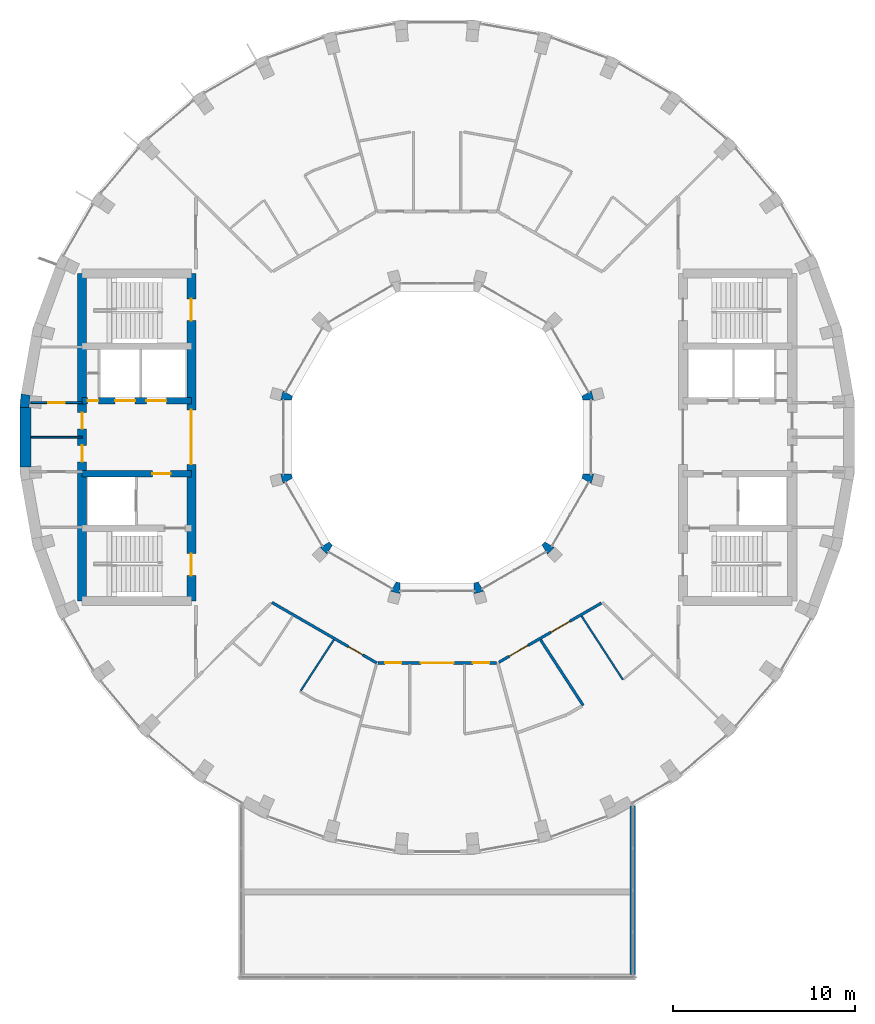
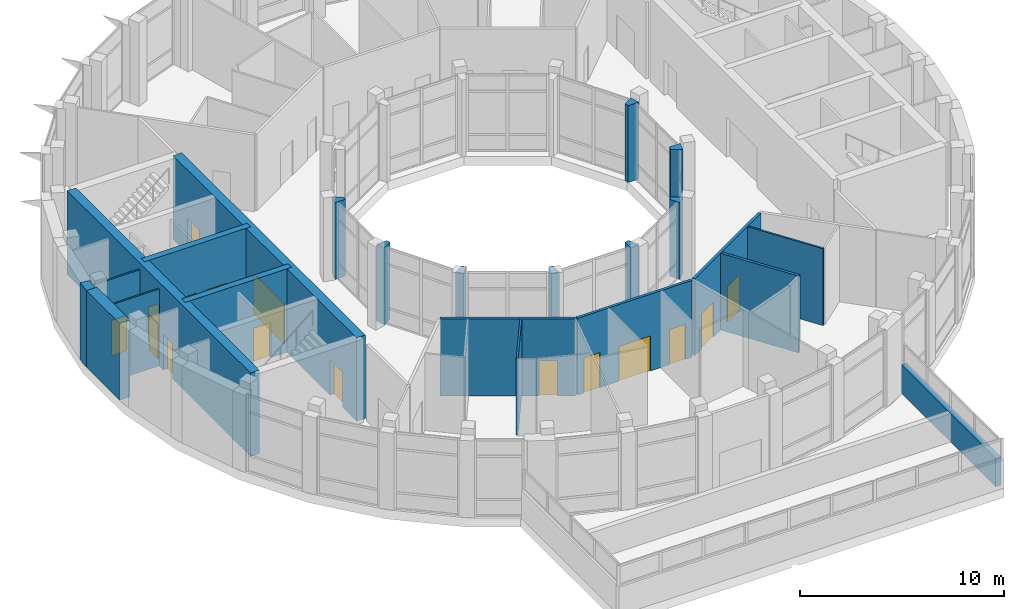
# One storey, part 14 of 19: 23 walls, 16 doors, 16 openings.
"""IFC4 building model written with IfcOpenShell, lengths in metres."""

from ifc_helpers import new_model, si_unit, direction, frame, frame_2d, origin, place, context, subcontext, project, spatial, polyline, rectangle, outline, extrude, material, layer, layer_set, type_object, element, fill, save


model = new_model("IFC4")

# Units and contexts
model_context = context("Model", 3, precision=1e-05, world=origin(), true_north=direction((0.0, 1.0)))
body_context = subcontext(model_context, "Body", "Model", "MODEL_VIEW")
ifc_project = project(units=[si_unit("LENGTHUNIT", "METRE"), si_unit("AREAUNIT", "SQUARE_METRE"), si_unit("VOLUMEUNIT", "CUBIC_METRE"), si_unit("PLANEANGLEUNIT", "RADIAN"), si_unit("MASSUNIT", "GRAM", prefix="KILO")], contexts=[model_context])

# Site, building, storey
site_placement = place(None, origin())
site = spatial("IfcSite", under=ifc_project, at=site_placement, CompositionType="ELEMENT")
building_placement = place(site_placement, origin())
building = spatial("IfcBuilding", under=site, at=building_placement, Name="Saqina Gate Tower", CompositionType="ELEMENT")
storey_placement = place(building_placement, frame((0.0, 0.0, 224.699951171875)))
storey = spatial("IfcBuildingStorey", under=building, at=storey_placement, Name="L64", CompositionType="ELEMENT", Elevation=224.699951171875)

# Wall
ifc_material_1 = material(Name="Brick masonry (buff)", Category="masonry")
wall_type_1 = type_object("IfcWallType", Name="BRICK PIER COPING BUFF", PredefinedType="SOLIDWALL", material=ifc_material_1)
wall_1_placement = place(storey_placement, origin())
element("IfcWall", 1, at=wall_1_placement, inside=storey, type_object=wall_type_1, Name="Pier cap L64 column 18", PredefinedType="SOLIDWALL", context=body_context, shape_type="SweptSolid", body=[
    extrude(outline(polyline([(-22.8466796875, 2.377685546875), (-22.91259765625, 1.625732421875), (-22.3125, 1.625732421875), (-22.417724609375, 1.635009765625), (-22.361083984375, 2.28271484375), (-22.255859375, 2.2734375), (-22.8466796875, 2.377685546875)])), origin(), (0.0, 0.0, 1.0), 4.60009765625),
])

# Wall, opening, door
ifc_material_2 = material(Name="Gypsum board on steel studs", Category="steel")
ifc_layer_1 = layer(ifc_material_2, 0.10009765625)
ifc_layer_set_1 = layer_set([ifc_layer_1], Name="CORE PARTITION")
wall_type_2 = type_object("IfcWallType", Name="CORE PARTITION", PredefinedType="PARTITIONING", material=ifc_layer_set_1)
wall_2_placement = place(storey_placement, frame((-19.5, 1.89990234375, 0.0), z_axis=(0.0, 0.0, 1.0), x_axis=(-1.0, 0.0, 0.0)))
wall_2 = element("IfcWall", 2, at=wall_2_placement, inside=storey, type_object=wall_type_2, Name="L64-CP-W03", PredefinedType="PARTITIONING", context=body_context, shape_type="SweptSolid", body=[
    extrude(rectangle(XDim=2.8125, YDim=0.10009765625, at=frame_2d((1.40625, 0.0))), origin(), (0.0, 0.0, 1.0), 4.60009765625),
])
opening_1_placement = place(wall_2_placement, frame((0.956298828125, 0.0, 0.0)))
opening_1 = element("IfcOpeningElement", 3, at=opening_1_placement, cuts=wall_2, Name="Opening L64-D103", PredefinedType="OPENING", context=body_context, shape_type="SweptSolid", body=[
    extrude(rectangle(XDim=0.89990234375, YDim=2.10009765625, at=frame_2d((0.449951171875, 1.050048828125))), frame((0.0, 0.06201171875, 0.0), z_axis=(0.0, -1.0, 0.0), x_axis=(1.0, 0.0, 0.0)), (0.0, 0.0, 1.0), 0.1240234375),
])
ifc_material_3 = material(Name="Steel-framed fire door leaf, EI 60", Category="steel")
door_type_1 = type_object("IfcDoorType", Name="SERVICE ROOM DOOR 900", OperationType="SINGLE_SWING_LEFT", PredefinedType="DOOR", material=ifc_material_3)
door_1_placement = place(opening_1_placement, frame((0.89990234375, 0.0, 0.0), z_axis=(0.0, 0.0, 1.0), x_axis=(-1.0, 0.0, 0.0)))
door_1 = element("IfcDoor", 4, at=door_1_placement, inside=storey, type_object=door_type_1, Name="L64-CD-W14", OperationType="SINGLE_SWING_LEFT", OverallHeight=2.10009765625, OverallWidth=0.89990234375, PredefinedType="DOOR", context=body_context, shape_type="SweptSolid", body=[
    extrude(rectangle(XDim=0.89990234375, YDim=2.10009765625, at=frame_2d((0.449951171875, 1.050048828125))), frame((0.0, 0.02490234375, 0.0), z_axis=(0.0, -1.0, 0.0), x_axis=(1.0, 0.0, 0.0)), (0.0, 0.0, 1.0), 0.050048828125),
])
fill(opening_1, door_1)

# Walls
wall_3_placement = place(storey_placement, frame((-19.5, 0.0, 0.0), z_axis=(0.0, 0.0, 1.0), x_axis=(-1.0, 0.0, 0.0)))
element("IfcWall", 5, at=wall_3_placement, inside=storey, type_object=wall_type_2, Name="L64-CP-W06", PredefinedType="PARTITIONING", context=body_context, shape_type="SweptSolid", body=[
    extrude(rectangle(XDim=2.8125, YDim=0.10009765625, at=frame_2d((1.40625, 0.0))), origin(), (0.0, 0.0, 1.0), 4.60009765625),
])
ifc_material_4 = material(Name="Glazed ceramic tile (dark blue)", Category="ceramic")
ifc_layer_2 = layer(ifc_material_4, 0.60009765625)
ifc_layer_set_2 = layer_set([ifc_layer_2], Name="FW-TILE-CB")
wall_type_3 = type_object("IfcWallType", Name="FW-TILE-CB", PredefinedType="SOLIDWALL", material=ifc_layer_set_2)
wall_4_placement = place(storey_placement, frame((-22.612548828125, 1.625732421875, 0.0), z_axis=(0.0, 0.0, 1.0), x_axis=(0.0, -1.0, 0.0)))
element("IfcWall", 6, at=wall_4_placement, inside=storey, type_object=wall_type_3, Name="Facade wall L64 facet 18", PredefinedType="SOLIDWALL", context=body_context, shape_type="SweptSolid", body=[
    extrude(rectangle(XDim=3.25146484375, YDim=0.60009765625, at=frame_2d((1.625732421875, 0.0))), origin(), (0.0, 0.0, 1.0), 4.60009765625),
])
ifc_material_5 = material(Name="Gypsum board on steel studs, 100 mm", Category="steel")
ifc_layer_3 = layer(ifc_material_5, 0.10009765625)
ifc_layer_set_3 = layer_set([ifc_layer_3], Name="SPECIAL PARTITION 100")
wall_type_4 = type_object("IfcWallType", Name="SPECIAL PARTITION 100", PredefinedType="PARTITIONING", material=ifc_layer_set_3)
wall_5_placement = place(storey_placement, frame((7.930908203125, -9.825927734375, 0.0), z_axis=(0.0, 0.0, 1.0), x_axis=(0.544576550515, -0.838711142545, 0.0)))
element("IfcWall", 7, at=wall_5_placement, inside=storey, type_object=wall_type_4, Name="PARTITION 007", PredefinedType="PARTITIONING", context=body_context, shape_type="SweptSolid", body=[
    extrude(rectangle(XDim=4.16845703125, YDim=0.10009765625, at=frame_2d((2.084228515625, 0.0))), origin(), (0.0, 0.0, 1.0), 4.60009765625),
])
wall_6_placement = place(storey_placement, frame((-7.496826171875, -13.93115234375, 0.0), z_axis=(0.0, 0.0, 1.0), x_axis=(0.54476755827, 0.838587089966, 0.0)))
element("IfcWall", 8, at=wall_6_placement, inside=storey, type_object=wall_type_4, Name="PARTITION 038", PredefinedType="PARTITIONING", context=body_context, shape_type="SweptSolid", body=[
    extrude(rectangle(XDim=3.3427734375, YDim=0.10009765625, at=frame_2d((1.67138671875, 0.0))), origin(), (0.0, 0.0, 1.0), 4.60009765625),
])

# Wall, opening, door
ifc_material_6 = material(Name="Gypsum board on steel studs, 150 mm, fire rated", Category="steel")
ifc_layer_4 = layer(ifc_material_6, 0.14990234375)
ifc_layer_set_4 = layer_set([ifc_layer_4], Name="SPECIAL PARTITION EI 30 150")
wall_type_5 = type_object("IfcWallType", Name="SPECIAL PARTITION EI 30 150", PredefinedType="PARTITIONING", material=ifc_layer_set_4)
wall_7_placement = place(storey_placement, frame((-9.076904296875, -9.076904296875, 0.0), z_axis=(0.0, 0.0, 1.0), x_axis=(0.865961614908, -0.500110469302, 0.0)))
wall_7 = element("IfcWall", 9, at=wall_7_placement, inside=storey, type_object=wall_type_5, Name="PARTITION 014", PredefinedType="PARTITIONING", context=body_context, shape_type="SweptSolid", body=[
    extrude(rectangle(XDim=6.64453125, YDim=0.14990234375, at=frame_2d((3.322265625, 0.0))), origin(), (0.0, 0.0, 1.0), 4.60009765625),
])
opening_2_placement = place(wall_7_placement, frame((4.859619140625, 0.0, 0.0)))
opening_2 = element("IfcOpeningElement", 10, at=opening_2_placement, cuts=wall_7, Name="Opening L64-D15", PredefinedType="OPENING", context=body_context, shape_type="SweptSolid", body=[
    extrude(rectangle(XDim=0.89990234375, YDim=2.10009765625, at=frame_2d((0.449951171875, 1.050048828125))), frame((0.0, 0.0869140625, 0.0), z_axis=(0.0, -1.0, 0.0), x_axis=(1.0, 0.0, 0.0)), (0.0, 0.0, 1.0), 0.173828125),
])
ifc_material_7 = material(Name="Steel-framed fire door leaf, EI 30", Category="steel")
door_type_2 = type_object("IfcDoorType", Name="SPECIAL DOOR 900 FIRE EI 30", OperationType="SINGLE_SWING_LEFT", PredefinedType="DOOR", material=ifc_material_7)
door_2_placement = place(opening_2_placement, frame((0.89990234375, 0.0, 0.0), z_axis=(0.0, 0.0, 1.0), x_axis=(-1.0, 0.0, 0.0)))
door_2 = element("IfcDoor", 11, at=door_2_placement, inside=storey, type_object=door_type_2, Name="DOOR L64-D15", OperationType="SINGLE_SWING_LEFT", OverallHeight=2.10009765625, OverallWidth=0.89990234375, PredefinedType="DOOR", context=body_context, shape_type="SweptSolid", body=[
    extrude(rectangle(XDim=0.89990234375, YDim=2.10009765625, at=frame_2d((0.449951171875, 1.050048828125))), frame((0.0, 0.02490234375, 0.0), z_axis=(0.0, -1.0, 0.0), x_axis=(1.0, 0.0, 0.0)), (0.0, 0.0, 1.0), 0.050048828125),
])
fill(opening_2, door_2)

# Wall, openings, doors
wall_8_placement = place(storey_placement, frame((-3.248046875, -12.39990234375, 0.0), z_axis=(0.0, 0.0, 1.0), x_axis=(1.0, 0.0, 0.0)))
wall_8 = element("IfcWall", 12, at=wall_8_placement, inside=storey, type_object=wall_type_5, Name="PARTITION 022", PredefinedType="PARTITIONING", context=body_context, shape_type="SweptSolid", body=[
    extrude(rectangle(XDim=6.49609375, YDim=0.14990234375, at=frame_2d((3.248046875, 0.0))), origin(), (0.0, 0.0, 1.0), 4.60009765625),
])
opening_3_placement = place(wall_8_placement, frame((0.386474609375, 0.0, 0.0)))
opening_3 = element("IfcOpeningElement", 13, at=opening_3_placement, cuts=wall_8, Name="Opening L64-D16", PredefinedType="OPENING", context=body_context, shape_type="SweptSolid", body=[
    extrude(rectangle(XDim=0.89990234375, YDim=2.10009765625, at=frame_2d((0.449951171875, 1.050048828125))), frame((0.0, 0.0869140625, 0.0), z_axis=(0.0, -1.0, 0.0), x_axis=(1.0, 0.0, 0.0)), (0.0, 0.0, 1.0), 0.173828125),
])
opening_4_placement = place(wall_8_placement, frame((2.347900390625, 0.0, 0.0)))
opening_4 = element("IfcOpeningElement", 14, at=opening_4_placement, cuts=wall_8, Name="Opening L64-D17", PredefinedType="OPENING", context=body_context, shape_type="SweptSolid", body=[
    extrude(rectangle(XDim=1.800048828125, YDim=2.10009765625, at=frame_2d((0.89990234375, 1.050048828125))), frame((0.0, 0.0869140625, 0.0), z_axis=(0.0, -1.0, 0.0), x_axis=(1.0, 0.0, 0.0)), (0.0, 0.0, 1.0), 0.173828125),
])
opening_5_placement = place(wall_8_placement, frame((5.20947265625, 0.0, 0.0)))
opening_5 = element("IfcOpeningElement", 15, at=opening_5_placement, cuts=wall_8, Name="Opening L64-D18", PredefinedType="OPENING", context=body_context, shape_type="SweptSolid", body=[
    extrude(rectangle(XDim=0.89990234375, YDim=2.10009765625, at=frame_2d((0.449951171875, 1.050048828125))), frame((0.0, 0.0869140625, 0.0), z_axis=(0.0, -1.0, 0.0), x_axis=(1.0, 0.0, 0.0)), (0.0, 0.0, 1.0), 0.173828125),
])
door_3_placement = place(opening_3_placement, frame((0.89990234375, 0.0, 0.0), z_axis=(0.0, 0.0, 1.0), x_axis=(-1.0, 0.0, 0.0)))
door_3 = element("IfcDoor", 16, at=door_3_placement, inside=storey, type_object=door_type_2, Name="DOOR L64-D16", OperationType="SINGLE_SWING_LEFT", OverallHeight=2.10009765625, OverallWidth=0.89990234375, PredefinedType="DOOR", context=body_context, shape_type="SweptSolid", body=[
    extrude(rectangle(XDim=0.89990234375, YDim=2.10009765625, at=frame_2d((0.449951171875, 1.050048828125))), frame((0.0, 0.02490234375, 0.0), z_axis=(0.0, -1.0, 0.0), x_axis=(1.0, 0.0, 0.0)), (0.0, 0.0, 1.0), 0.050048828125),
])
fill(opening_3, door_3)
door_4_placement = place(opening_5_placement, frame((0.89990234375, 0.0, 0.0), z_axis=(0.0, 0.0, 1.0), x_axis=(-1.0, 0.0, 0.0)))
door_4 = element("IfcDoor", 17, at=door_4_placement, inside=storey, type_object=door_type_2, Name="DOOR L64-D18", OperationType="SINGLE_SWING_RIGHT", OverallHeight=2.10009765625, OverallWidth=0.89990234375, PredefinedType="DOOR", context=body_context, shape_type="SweptSolid", body=[
    extrude(rectangle(XDim=0.89990234375, YDim=2.10009765625, at=frame_2d((0.449951171875, 1.050048828125))), frame((0.0, 0.02490234375, 0.0), z_axis=(0.0, -1.0, 0.0), x_axis=(1.0, 0.0, 0.0)), (0.0, 0.0, 1.0), 0.050048828125),
])
fill(opening_5, door_4)
ifc_material_8 = material(Name="Steel-framed fire door leaf, EI 30", Category="steel")
door_type_3 = type_object("IfcDoorType", Name="SPECIAL DOUBLE DOOR 1800 FIRE EI 30", OperationType="DOUBLE_DOOR_SINGLE_SWING", PredefinedType="DOOR", material=ifc_material_8)
door_5_placement = place(opening_4_placement, origin())
door_5 = element("IfcDoor", 18, at=door_5_placement, inside=storey, type_object=door_type_3, Name="DOOR L64-D17", OperationType="DOUBLE_DOOR_SINGLE_SWING", OverallHeight=2.10009765625, OverallWidth=1.800048828125, PredefinedType="DOOR", context=body_context, shape_type="SweptSolid", body=[
    extrude(rectangle(XDim=1.800048828125, YDim=2.10009765625, at=frame_2d((0.89990234375, 1.050048828125))), frame((0.0, 0.02490234375, 0.0), z_axis=(0.0, -1.0, 0.0), x_axis=(1.0, 0.0, 0.0)), (0.0, 0.0, 1.0), 0.050048828125),
])
fill(opening_4, door_5)

# Wall
ifc_material_9 = material(Name="Masonry block and plaster, 150 mm, fire rated", Category="masonry")
ifc_layer_5 = layer(ifc_material_9, 0.14990234375)
ifc_layer_set_5 = layer_set([ifc_layer_5], Name="SPECIAL PARTITION EI 60 150")
wall_type_6 = type_object("IfcWallType", Name="SPECIAL PARTITION EI 60 150", PredefinedType="PARTITIONING", material=ifc_layer_set_5)
wall_9_placement = place(storey_placement, frame((5.67578125, -11.1279296875, 0.0), z_axis=(0.0, 0.0, 1.0), x_axis=(0.544832434593, -0.838544941083, 0.0)))
element("IfcWall", 19, at=wall_9_placement, inside=storey, type_object=wall_type_6, Name="PARTITION 006", PredefinedType="PARTITIONING", context=body_context, shape_type="SweptSolid", body=[
    extrude(rectangle(XDim=4.293212890625, YDim=0.14990234375, at=frame_2d((2.146484375, 0.0))), origin(), (0.0, 0.0, 1.0), 4.60009765625),
])

# Wall, openings, doors
wall_10_placement = place(storey_placement, frame((3.387939453125, -12.362548828125, 0.0), z_axis=(0.0, 0.0, 1.0), x_axis=(0.865967095912, 0.5001009786, 0.0)))
wall_10 = element("IfcWall", 20, at=wall_10_placement, inside=storey, type_object=wall_type_6, Name="PARTITION 029", PredefinedType="PARTITIONING", context=body_context, shape_type="SweptSolid", body=[
    extrude(rectangle(XDim=6.494873046875, YDim=0.14990234375, at=frame_2d((3.24755859375, 0.0))), origin(), (0.0, 0.0, 1.0), 4.60009765625),
])
opening_6_placement = place(wall_10_placement, frame((0.659912109375, 0.0, 0.0)))
opening_6 = element("IfcOpeningElement", 21, at=opening_6_placement, cuts=wall_10, Name="Opening L64-D19", PredefinedType="OPENING", context=body_context, shape_type="SweptSolid", body=[
    extrude(rectangle(XDim=1.199951171875, YDim=2.10009765625, at=frame_2d((0.60009765625, 1.050048828125))), frame((0.0, 0.0869140625, 0.0), z_axis=(0.0, -1.0, 0.0), x_axis=(1.0, 0.0, 0.0)), (0.0, 0.0, 1.0), 0.173828125),
])
opening_7_placement = place(wall_10_placement, frame((3.296630859375, 0.0, 0.0)))
opening_7 = element("IfcOpeningElement", 22, at=opening_7_placement, cuts=wall_10, Name="Opening L64-D20", PredefinedType="OPENING", context=body_context, shape_type="SweptSolid", body=[
    extrude(rectangle(XDim=1.199951171875, YDim=2.10009765625, at=frame_2d((0.60009765625, 1.050048828125))), frame((0.0, 0.0869140625, 0.0), z_axis=(0.0, -1.0, 0.0), x_axis=(1.0, 0.0, 0.0)), (0.0, 0.0, 1.0), 0.173828125),
])
ifc_material_10 = material(Name="Steel-framed fire door leaf, EI 60", Category="steel")
door_type_4 = type_object("IfcDoorType", Name="SPECIAL DOOR 1200 FIRE EI 60", OperationType="SINGLE_SWING_LEFT", PredefinedType="DOOR", material=ifc_material_10)
door_6_placement = place(opening_6_placement, frame((1.199951171875, 0.0, 0.0), z_axis=(0.0, 0.0, 1.0), x_axis=(-1.0, 0.0, 0.0)))
door_6 = element("IfcDoor", 23, at=door_6_placement, inside=storey, type_object=door_type_4, Name="DOOR L64-D19", OperationType="SINGLE_SWING_RIGHT", OverallHeight=2.10009765625, OverallWidth=1.199951171875, PredefinedType="DOOR", context=body_context, shape_type="SweptSolid", body=[
    extrude(rectangle(XDim=1.199951171875, YDim=2.10009765625, at=frame_2d((0.60009765625, 1.050048828125))), frame((0.0, 0.02490234375, 0.0), z_axis=(0.0, -1.0, 0.0), x_axis=(1.0, 0.0, 0.0)), (0.0, 0.0, 1.0), 0.050048828125),
])
fill(opening_6, door_6)
door_7_placement = place(opening_7_placement, frame((1.199951171875, 0.0, 0.0), z_axis=(0.0, 0.0, 1.0), x_axis=(-1.0, 0.0, 0.0)))
door_7 = element("IfcDoor", 24, at=door_7_placement, inside=storey, type_object=door_type_4, Name="DOOR L64-D20", OperationType="SINGLE_SWING_RIGHT", OverallHeight=2.10009765625, OverallWidth=1.199951171875, PredefinedType="DOOR", context=body_context, shape_type="SweptSolid", body=[
    extrude(rectangle(XDim=1.199951171875, YDim=2.10009765625, at=frame_2d((0.60009765625, 1.050048828125))), frame((0.0, 0.02490234375, 0.0), z_axis=(0.0, -1.0, 0.0), x_axis=(1.0, 0.0, 0.0)), (0.0, 0.0, 1.0), 0.050048828125),
])
fill(opening_7, door_7)

ifc_material_11 = material(Name="Concrete C60/75", Category="concrete")
ifc_layer_6 = layer(ifc_material_11, 0.35009765625)
ifc_layer_set_6 = layer_set([ifc_layer_6], Name="Concrete C60/75")
wall_type_7 = type_object("IfcWallType", Name="STR-CORE WALL-D-I", PredefinedType="SHEAR", material=ifc_layer_set_6)
wall_11_placement = place(storey_placement, frame((-13.5, 2.0, 0.0), z_axis=(0.0, 0.0, 1.0), x_axis=(-1.0, 0.0, 0.0)))
wall_11 = element("IfcWall", 25, at=wall_11_placement, inside=storey, type_object=wall_type_7, Name="CORE WALL L64 W-L1", PredefinedType="SHEAR", context=body_context, shape_type="SweptSolid", body=[
    extrude(rectangle(XDim=6.0, YDim=0.35009765625, at=frame_2d((3.0, 0.0))), origin(), (0.0, 0.0, 1.0), 5.0),
])
opening_8_placement = place(wall_11_placement, frame((1.3701171875, 0.0, 0.0)))
opening_8 = element("IfcOpeningElement", 26, at=opening_8_placement, cuts=wall_11, Name="Opening L64-LD4", PredefinedType="OPENING", context=body_context, shape_type="SweptSolid", body=[
    extrude(rectangle(XDim=1.10009765625, YDim=2.10009765625, at=frame_2d((0.550048828125, 1.050048828125))), frame((0.0, 0.18701171875, 0.0), z_axis=(0.0, -1.0, 0.0), x_axis=(1.0, 0.0, 0.0)), (0.0, 0.0, 1.0), 0.3740234375),
])
opening_9_placement = place(wall_11_placement, frame((3.090087890625, 0.0, 0.0)))
opening_9 = element("IfcOpeningElement", 27, at=opening_9_placement, cuts=wall_11, Name="Opening L64-LD5", PredefinedType="OPENING", context=body_context, shape_type="SweptSolid", body=[
    extrude(rectangle(XDim=1.10009765625, YDim=2.10009765625, at=frame_2d((0.550048828125, 1.050048828125))), frame((0.0, 0.18701171875, 0.0), z_axis=(0.0, -1.0, 0.0), x_axis=(1.0, 0.0, 0.0)), (0.0, 0.0, 1.0), 0.3740234375),
])
opening_10_placement = place(wall_11_placement, frame((5.10498046875, 0.0, 0.0)))
opening_10 = element("IfcOpeningElement", 28, at=opening_10_placement, cuts=wall_11, Name="Opening L64-D101", PredefinedType="OPENING", context=body_context, shape_type="SweptSolid", body=[
    extrude(rectangle(XDim=0.60009765625, YDim=2.10009765625, at=frame_2d((0.300048828125, 1.050048828125))), frame((0.0, 0.18701171875, 0.0), z_axis=(0.0, -1.0, 0.0), x_axis=(1.0, 0.0, 0.0)), (0.0, 0.0, 1.0), 0.3740234375),
])
ifc_material_12 = material(Name="Stainless steel", Category="steel")
door_type_5 = type_object("IfcDoorType", Name="LANDING DOOR", OperationType="DOUBLE_DOOR_SLIDING", PredefinedType="DOOR", material=ifc_material_12)
door_8_placement = place(opening_8_placement, origin())
door_8 = element("IfcDoor", 29, at=door_8_placement, inside=storey, type_object=door_type_5, Name="LANDING DOOR HR3", OperationType="DOUBLE_DOOR_SLIDING", OverallHeight=2.10009765625, OverallWidth=1.10009765625, PredefinedType="DOOR", context=body_context, shape_type="SweptSolid", body=[
    extrude(rectangle(XDim=1.10009765625, YDim=2.10009765625, at=frame_2d((0.550048828125, 1.050048828125))), frame((0.0, 0.02490234375, 0.0), z_axis=(0.0, -1.0, 0.0), x_axis=(1.0, 0.0, 0.0)), (0.0, 0.0, 1.0), 0.050048828125),
])
fill(opening_8, door_8)
door_9_placement = place(opening_9_placement, origin())
door_9 = element("IfcDoor", 30, at=door_9_placement, inside=storey, type_object=door_type_5, Name="LANDING DOOR HR4", OperationType="DOUBLE_DOOR_SLIDING", OverallHeight=2.10009765625, OverallWidth=1.10009765625, PredefinedType="DOOR", context=body_context, shape_type="SweptSolid", body=[
    extrude(rectangle(XDim=1.10009765625, YDim=2.10009765625, at=frame_2d((0.550048828125, 1.050048828125))), frame((0.0, 0.02490234375, 0.0), z_axis=(0.0, -1.0, 0.0), x_axis=(1.0, 0.0, 0.0)), (0.0, 0.0, 1.0), 0.050048828125),
])
fill(opening_9, door_9)
ifc_material_13 = material(Name="Steel-framed fire door leaf, EI 60", Category="steel")
door_type_6 = type_object("IfcDoorType", Name="SERVICE ROOM DOOR 600", OperationType="SINGLE_SWING_LEFT", PredefinedType="DOOR", material=ifc_material_13)
door_10_placement = place(opening_10_placement, frame((0.60009765625, 0.0, 0.0), z_axis=(0.0, 0.0, 1.0), x_axis=(-1.0, 0.0, 0.0)))
door_10 = element("IfcDoor", 31, at=door_10_placement, inside=storey, type_object=door_type_6, Name="L64-CD-W12", OperationType="SINGLE_SWING_LEFT", OverallHeight=2.10009765625, OverallWidth=0.60009765625, PredefinedType="DOOR", context=body_context, shape_type="SweptSolid", body=[
    extrude(rectangle(XDim=0.60009765625, YDim=2.10009765625, at=frame_2d((0.300048828125, 1.050048828125))), frame((0.0, 0.02490234375, 0.0), z_axis=(0.0, -1.0, 0.0), x_axis=(1.0, 0.0, 0.0)), (0.0, 0.0, 1.0), 0.050048828125),
])
fill(opening_10, door_10)

# Wall, opening, door
wall_12_placement = place(storey_placement, frame((-13.5, -2.0, 0.0), z_axis=(0.0, 0.0, 1.0), x_axis=(-1.0, 0.0, 0.0)))
wall_12 = element("IfcWall", 32, at=wall_12_placement, inside=storey, type_object=wall_type_7, Name="CORE WALL L64 W-L2", PredefinedType="SHEAR", context=body_context, shape_type="SweptSolid", body=[
    extrude(rectangle(XDim=6.0, YDim=0.35009765625, at=frame_2d((3.0, 0.0))), origin(), (0.0, 0.0, 1.0), 5.0),
])
opening_11_placement = place(wall_12_placement, frame((1.139892578125, 0.0, 0.0)))
opening_11 = element("IfcOpeningElement", 33, at=opening_11_placement, cuts=wall_12, Name="Opening L64-D102", PredefinedType="OPENING", context=body_context, shape_type="SweptSolid", body=[
    extrude(rectangle(XDim=1.0, YDim=2.10009765625, at=frame_2d((0.5, 1.050048828125))), frame((0.0, 0.18701171875, 0.0), z_axis=(0.0, -1.0, 0.0), x_axis=(1.0, 0.0, 0.0)), (0.0, 0.0, 1.0), 0.3740234375),
])
ifc_material_14 = material(Name="Steel", Category="steel")
door_type_7 = type_object("IfcDoorType", Name="FIRE LOBBY DOOR EI 60", OperationType="SINGLE_SWING_LEFT", PredefinedType="DOOR", material=ifc_material_14)
door_11_placement = place(opening_11_placement, frame((1.0, 0.0, 0.0), z_axis=(0.0, 0.0, 1.0), x_axis=(-1.0, 0.0, 0.0)))
door_11 = element("IfcDoor", 34, at=door_11_placement, inside=storey, type_object=door_type_7, Name="L64-CD-W13", OperationType="SINGLE_SWING_RIGHT", OverallHeight=2.10009765625, OverallWidth=1.0, PredefinedType="DOOR", context=body_context, shape_type="SweptSolid", body=[
    extrude(rectangle(XDim=1.0, YDim=2.10009765625, at=frame_2d((0.5, 1.050048828125))), frame((0.0, 0.02490234375, 0.0), z_axis=(0.0, -1.0, 0.0), x_axis=(1.0, 0.0, 0.0)), (0.0, 0.0, 1.0), 0.050048828125),
])
fill(opening_11, door_11)

# Wall, openings, doors
ifc_material_15 = material(Name="Concrete C60/75", Category="concrete")
ifc_layer_7 = layer(ifc_material_15, 0.5)
ifc_layer_set_7 = layer_set([ifc_layer_7], Name="Concrete C60/75")
wall_type_8 = type_object("IfcWallType", Name="STR-CORE WALL-D-O", PredefinedType="SHEAR", material=ifc_layer_set_7)
wall_13_placement = place(storey_placement, frame((-13.5, -9.0, 0.0), z_axis=(0.0, 0.0, 1.0), x_axis=(0.0, 1.0, 0.0)))
wall_13 = element("IfcWall", 35, at=wall_13_placement, inside=storey, type_object=wall_type_8, Name="CORE WALL L64 W-W1", PredefinedType="SHEAR", context=body_context, shape_type="SweptSolid", body=[
    extrude(rectangle(XDim=18.0, YDim=0.5, at=frame_2d((9.0, 0.0))), origin(), (0.0, 0.0, 1.0), 5.0),
])
opening_12_placement = place(wall_13_placement, frame((15.39990234375, 0.0, 0.0)))
opening_12 = element("IfcOpeningElement", 36, at=opening_12_placement, cuts=wall_13, Name="Opening L64-D109", PredefinedType="OPENING", context=body_context, shape_type="SweptSolid", body=[
    extrude(rectangle(XDim=1.199951171875, YDim=2.10009765625, at=frame_2d((0.60009765625, 1.050048828125))), frame((0.0, 0.261962890625, 0.0), z_axis=(0.0, -1.0, 0.0), x_axis=(1.0, 0.0, 0.0)), (0.0, 0.0, 1.0), 0.52392578125),
])
opening_13_placement = place(wall_13_placement, frame((1.39990234375, 0.0, 0.0)))
opening_13 = element("IfcOpeningElement", 37, at=opening_13_placement, cuts=wall_13, Name="Opening L64-D110", PredefinedType="OPENING", context=body_context, shape_type="SweptSolid", body=[
    extrude(rectangle(XDim=1.199951171875, YDim=2.10009765625, at=frame_2d((0.60009765625, 1.050048828125))), frame((0.0, 0.261962890625, 0.0), z_axis=(0.0, -1.0, 0.0), x_axis=(1.0, 0.0, 0.0)), (0.0, 0.0, 1.0), 0.52392578125),
])
opening_14_placement = place(wall_13_placement, frame((7.5, 0.0, 0.0)))
opening_14 = element("IfcOpeningElement", 38, at=opening_14_placement, cuts=wall_13, Name="Opening L64-D111", PredefinedType="OPENING", context=body_context, shape_type="SweptSolid", body=[
    extrude(rectangle(XDim=3.0, YDim=2.39990234375, at=frame_2d((1.5, 1.199951171875))), frame((0.0, 0.261962890625, 0.0), z_axis=(0.0, -1.0, 0.0), x_axis=(1.0, 0.0, 0.0)), (0.0, 0.0, 1.0), 0.52392578125),
])
ifc_material_16 = material(Name="Steel", Category="steel")
door_type_8 = type_object("IfcDoorType", Name="FIRE DOOR EI 60", OperationType="SINGLE_SWING_LEFT", PredefinedType="DOOR", material=ifc_material_16)
door_12_placement = place(opening_12_placement, origin())
door_12 = element("IfcDoor", 39, at=door_12_placement, inside=storey, type_object=door_type_8, Name="L64-CD-W20", OperationType="SINGLE_SWING_RIGHT", OverallHeight=2.10009765625, OverallWidth=1.199951171875, PredefinedType="DOOR", context=body_context, shape_type="SweptSolid", body=[
    extrude(rectangle(XDim=1.199951171875, YDim=2.10009765625, at=frame_2d((0.60009765625, 1.050048828125))), frame((0.0, 0.02490234375, 0.0), z_axis=(0.0, -1.0, 0.0), x_axis=(1.0, 0.0, 0.0)), (0.0, 0.0, 1.0), 0.050048828125),
])
fill(opening_12, door_12)
door_13_placement = place(opening_13_placement, origin())
door_13 = element("IfcDoor", 40, at=door_13_placement, inside=storey, type_object=door_type_8, Name="L64-CD-W21", OperationType="SINGLE_SWING_LEFT", OverallHeight=2.10009765625, OverallWidth=1.199951171875, PredefinedType="DOOR", context=body_context, shape_type="SweptSolid", body=[
    extrude(rectangle(XDim=1.199951171875, YDim=2.10009765625, at=frame_2d((0.60009765625, 1.050048828125))), frame((0.0, 0.02490234375, 0.0), z_axis=(0.0, -1.0, 0.0), x_axis=(1.0, 0.0, 0.0)), (0.0, 0.0, 1.0), 0.050048828125),
])
fill(opening_13, door_13)
ifc_material_17 = material(Name="Steel and fire-resisting glass", Category="steel")
door_type_9 = type_object("IfcDoorType", Name="LOBBY SCREEN DOOR", OperationType="DOUBLE_DOOR_SLIDING", PredefinedType="DOOR", material=ifc_material_17)
door_14_placement = place(opening_14_placement, origin())
door_14 = element("IfcDoor", 41, at=door_14_placement, inside=storey, type_object=door_type_9, Name="L64-CD-W22", OperationType="DOUBLE_DOOR_SLIDING", OverallHeight=2.39990234375, OverallWidth=3.0, PredefinedType="DOOR", context=body_context, shape_type="SweptSolid", body=[
    extrude(rectangle(XDim=3.0, YDim=2.39990234375, at=frame_2d((1.5, 1.199951171875))), frame((0.0, 0.02490234375, 0.0), z_axis=(0.0, -1.0, 0.0), x_axis=(1.0, 0.0, 0.0)), (0.0, 0.0, 1.0), 0.050048828125),
])
fill(opening_14, door_14)

wall_14_placement = place(storey_placement, frame((-19.5, -9.0, 0.0), z_axis=(0.0, 0.0, 1.0), x_axis=(0.0, 1.0, 0.0)))
wall_14 = element("IfcWall", 42, at=wall_14_placement, inside=storey, type_object=wall_type_8, Name="CORE WALL L64 W-W2", PredefinedType="SHEAR", context=body_context, shape_type="SweptSolid", body=[
    extrude(rectangle(XDim=18.0, YDim=0.5, at=frame_2d((9.0, 0.0))), origin(), (0.0, 0.0, 1.0), 5.0),
])
opening_15_placement = place(wall_14_placement, frame((9.449951171875, 0.0, 0.0)))
opening_15 = element("IfcOpeningElement", 43, at=opening_15_placement, cuts=wall_14, Name="Opening L64-D104", PredefinedType="OPENING", context=body_context, shape_type="SweptSolid", body=[
    extrude(rectangle(XDim=0.89990234375, YDim=2.10009765625, at=frame_2d((0.449951171875, 1.050048828125))), frame((0.0, 0.261962890625, 0.0), z_axis=(0.0, -1.0, 0.0), x_axis=(1.0, 0.0, 0.0)), (0.0, 0.0, 1.0), 0.52392578125),
])
opening_16_placement = place(wall_14_placement, frame((7.64990234375, 0.0, 0.0)))
opening_16 = element("IfcOpeningElement", 44, at=opening_16_placement, cuts=wall_14, Name="Opening L64-D106", PredefinedType="OPENING", context=body_context, shape_type="SweptSolid", body=[
    extrude(rectangle(XDim=0.89990234375, YDim=2.10009765625, at=frame_2d((0.449951171875, 1.050048828125))), frame((0.0, 0.261962890625, 0.0), z_axis=(0.0, -1.0, 0.0), x_axis=(1.0, 0.0, 0.0)), (0.0, 0.0, 1.0), 0.52392578125),
])
door_15_placement = place(opening_15_placement, origin())
door_15 = element("IfcDoor", 45, at=door_15_placement, inside=storey, type_object=door_type_1, Name="L64-CD-W15", OperationType="SINGLE_SWING_RIGHT", OverallHeight=2.10009765625, OverallWidth=0.89990234375, PredefinedType="DOOR", context=body_context, shape_type="SweptSolid", body=[
    extrude(rectangle(XDim=0.89990234375, YDim=2.10009765625, at=frame_2d((0.449951171875, 1.050048828125))), frame((0.0, 0.02490234375, 0.0), z_axis=(0.0, -1.0, 0.0), x_axis=(1.0, 0.0, 0.0)), (0.0, 0.0, 1.0), 0.050048828125),
])
fill(opening_15, door_15)
door_16_placement = place(opening_16_placement, origin())
door_16 = element("IfcDoor", 46, at=door_16_placement, inside=storey, type_object=door_type_1, Name="L64-CD-W17", OperationType="SINGLE_SWING_LEFT", OverallHeight=2.10009765625, OverallWidth=0.89990234375, PredefinedType="DOOR", context=body_context, shape_type="SweptSolid", body=[
    extrude(rectangle(XDim=0.89990234375, YDim=2.10009765625, at=frame_2d((0.449951171875, 1.050048828125))), frame((0.0, 0.02490234375, 0.0), z_axis=(0.0, -1.0, 0.0), x_axis=(1.0, 0.0, 0.0)), (0.0, 0.0, 1.0), 0.050048828125),
])
fill(opening_16, door_16)

# Walls
ifc_material_18 = material(Name="Concrete C40/50", Category="concrete")
ifc_layer_8 = layer(ifc_material_18, 0.300048828125)
ifc_layer_set_8 = layer_set([ifc_layer_8], Name="Concrete C40/50")
wall_type_9 = type_object("IfcWallType", Name="STR-WALL-POOL", PredefinedType="SOLIDWALL", material=ifc_layer_set_8)
wall_15_placement = place(storey_placement, frame((10.75, -29.512451171875, 0.0), z_axis=(0.0, 0.0, 1.0), x_axis=(0.0, 1.0, 0.0)))
element("IfcWall", 47, at=wall_15_placement, inside=storey, type_object=wall_type_9, Name="POOL WALL E", PredefinedType="SOLIDWALL", context=body_context, shape_type="SweptSolid", body=[
    extrude(rectangle(XDim=9.261962890625, YDim=0.300048828125, at=frame_2d((4.630859375, 0.0))), origin(), (0.0, 0.0, 1.0), 1.699951171875),
])
ifc_material_19 = material(Name="Glazed ceramic tile", Category="ceramic")
wall_type_10 = type_object("IfcWallType", Name="TILE PIER COPING", PredefinedType="SOLIDWALL", material=ifc_material_19)
wall_16_placement = place(storey_placement, origin())
element("IfcWall", 48, at=wall_16_placement, inside=storey, type_object=wall_type_10, Name="Well pier cap L64 column 1", PredefinedType="SOLIDWALL", context=body_context, shape_type="SweptSolid", body=[
    extrude(outline(polyline([(8.46240234375, 2.54248046875), (7.94287109375, 2.242431640625), (8.0, 2.029296875), (8.60009765625, 2.029296875), (8.46240234375, 2.54248046875)])), origin(), (0.0, 0.0, 1.0), 4.60009765625),
])
wall_17_placement = place(storey_placement, origin())
element("IfcWall", 49, at=wall_17_placement, inside=storey, type_object=wall_type_10, Name="Well pier cap L64 column 6", PredefinedType="SOLIDWALL", context=body_context, shape_type="SweptSolid", body=[
    extrude(outline(polyline([(-8.60009765625, 2.029296875), (-8.0, 2.029296875), (-7.94287109375, 2.242431640625), (-8.46240234375, 2.54248046875), (-8.60009765625, 2.029296875)])), origin(), (0.0, 0.0, 1.0), 4.60009765625),
])
wall_18_placement = place(storey_placement, origin())
element("IfcWall", 50, at=wall_18_placement, inside=storey, type_object=wall_type_10, Name="Well pier cap L64 column 7", PredefinedType="SOLIDWALL", context=body_context, shape_type="SweptSolid", body=[
    extrude(outline(polyline([(-8.46240234375, -2.54248046875), (-7.94287109375, -2.242431640625), (-8.0, -2.029296875), (-8.60009765625, -2.029296875), (-8.46240234375, -2.54248046875)])), origin(), (0.0, 0.0, 1.0), 4.60009765625),
])
wall_19_placement = place(storey_placement, origin())
element("IfcWall", 51, at=wall_19_placement, inside=storey, type_object=wall_type_10, Name="Well pier cap L64 column 8", PredefinedType="SOLIDWALL", context=body_context, shape_type="SweptSolid", body=[
    extrude(outline(polyline([(-6.0576171875, -6.43310546875), (-5.757568359375, -5.91357421875), (-5.91357421875, -5.757568359375), (-6.43310546875, -6.0576171875), (-6.0576171875, -6.43310546875)])), origin(), (0.0, 0.0, 1.0), 4.60009765625),
])
wall_20_placement = place(storey_placement, origin())
element("IfcWall", 52, at=wall_20_placement, inside=storey, type_object=wall_type_10, Name="Well pier cap L64 column 9", PredefinedType="SOLIDWALL", context=body_context, shape_type="SweptSolid", body=[
    extrude(outline(polyline([(-2.029296875, -8.60009765625), (-2.029296875, -8.0), (-2.242431640625, -7.94287109375), (-2.54248046875, -8.46240234375), (-2.029296875, -8.60009765625)])), origin(), (0.0, 0.0, 1.0), 4.60009765625),
])
wall_21_placement = place(storey_placement, origin())
element("IfcWall", 53, at=wall_21_placement, inside=storey, type_object=wall_type_10, Name="Well pier cap L64 column 10", PredefinedType="SOLIDWALL", context=body_context, shape_type="SweptSolid", body=[
    extrude(outline(polyline([(2.54248046875, -8.46240234375), (2.242431640625, -7.94287109375), (2.029296875, -8.0), (2.029296875, -8.60009765625), (2.54248046875, -8.46240234375)])), origin(), (0.0, 0.0, 1.0), 4.60009765625),
])
wall_22_placement = place(storey_placement, origin())
element("IfcWall", 54, at=wall_22_placement, inside=storey, type_object=wall_type_10, Name="Well pier cap L64 column 11", PredefinedType="SOLIDWALL", context=body_context, shape_type="SweptSolid", body=[
    extrude(outline(polyline([(6.43310546875, -6.0576171875), (5.91357421875, -5.757568359375), (5.757568359375, -5.91357421875), (6.0576171875, -6.43310546875), (6.43310546875, -6.0576171875)])), origin(), (0.0, 0.0, 1.0), 4.60009765625),
])
wall_23_placement = place(storey_placement, origin())
element("IfcWall", 55, at=wall_23_placement, inside=storey, type_object=wall_type_10, Name="Well pier cap L64 column 12", PredefinedType="SOLIDWALL", context=body_context, shape_type="SweptSolid", body=[
    extrude(outline(polyline([(8.60009765625, -2.029296875), (8.0, -2.029296875), (7.94287109375, -2.242431640625), (8.46240234375, -2.54248046875), (8.60009765625, -2.029296875)])), origin(), (0.0, 0.0, 1.0), 4.60009765625),
])

save(model, "model.ifc")
